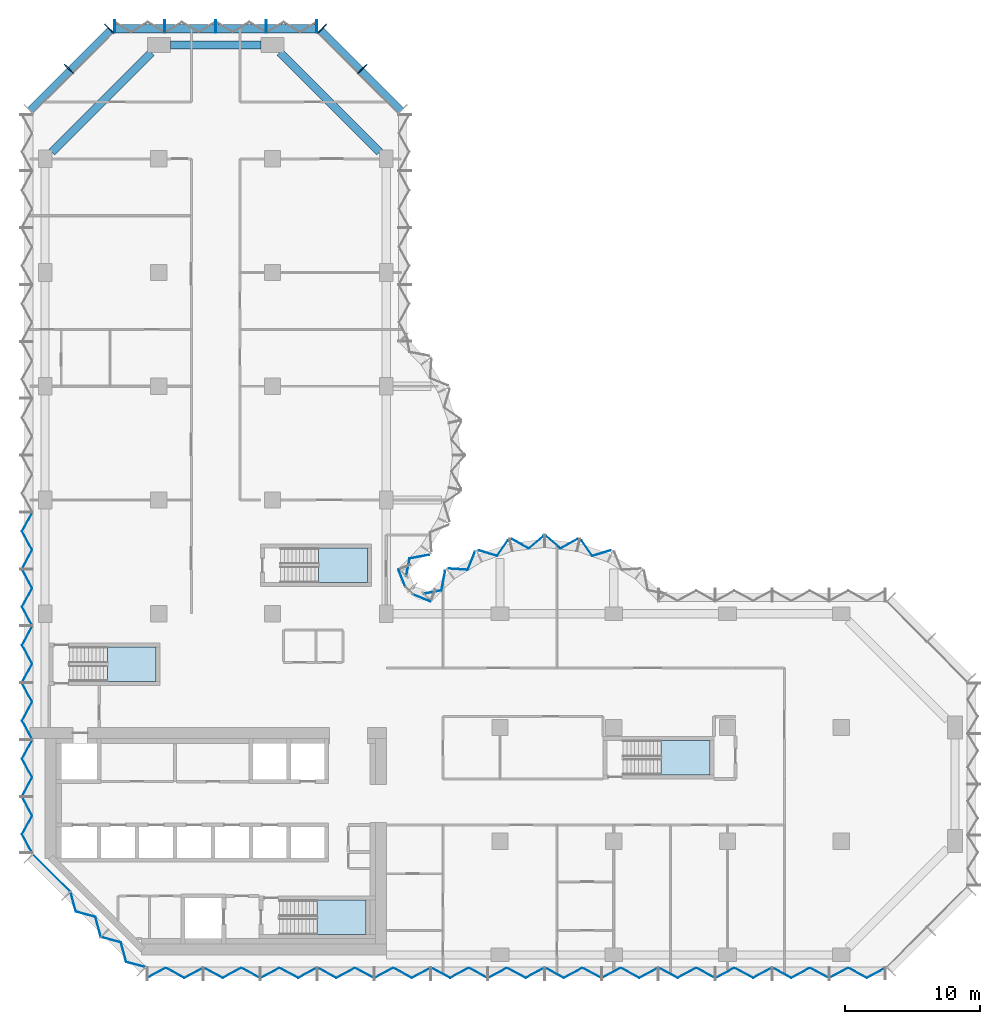
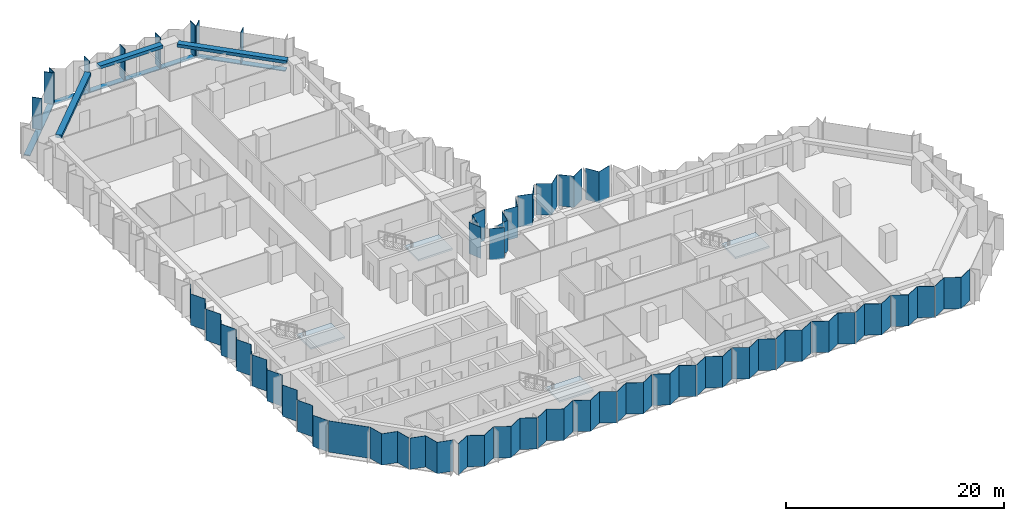
# One storey, part 5 of 13: 31 plates, 12 members, 4 slabs, 3 beams, 13 elements without a shape of their own.
"""IFC4 building model written with IfcOpenShell, lengths in metres."""

from ifc_helpers import new_model, si_unit, direction, frame, origin, origin_2d, place, context, subcontext, project, spatial, polyline, rectangle, outline, extrude, material, layer, layer_set, material_profile, profile_set, type_object, element, aggregate, save


model = new_model("IFC4")

# Units and contexts
model_context = context("Model", 3, precision=1e-05, world=origin(), true_north=direction((0.0, 1.0)))
body_context = subcontext(model_context, "Body", "Model", "MODEL_VIEW")
ifc_project = project(units=[si_unit("LENGTHUNIT", "METRE"), si_unit("AREAUNIT", "SQUARE_METRE"), si_unit("VOLUMEUNIT", "CUBIC_METRE"), si_unit("PLANEANGLEUNIT", "RADIAN"), si_unit("MASSUNIT", "GRAM", prefix="KILO")], contexts=[model_context])

# Site, building, storey
site_placement = place(None, origin())
site = spatial("IfcSite", under=ifc_project, at=site_placement, CompositionType="ELEMENT")
building_placement = place(site_placement, origin())
building = spatial("IfcBuilding", under=site, at=building_placement, Name="Brevane Broadcast Tower", CompositionType="ELEMENT")
storey_placement = place(building_placement, frame((0.0, 0.0, 102.5)))
storey = spatial("IfcBuildingStorey", under=building, at=storey_placement, Name="L24", CompositionType="ELEMENT", Elevation=102.5)

# Curtain wall, members
ifc_material_1 = material(Name="Aluminium 6063-T6 bronze anodised", Category="aluminium")
curtain_wall_type = type_object("IfcCurtainWallType", Name="CW-1 curtain wall", PredefinedType="NOTDEFINED", material=ifc_material_1)
curtain_wall_1_placement = place(storey_placement, origin())
curtain_wall_1 = element("IfcCurtainWall", 1, at=curtain_wall_1_placement, inside=storey, type_object=curtain_wall_type, Name="CW-1 typical tilted unit L24 north arm north-east chamfer", PredefinedType="NOTDEFINED")
ifc_material_profile_1 = material_profile(ifc_material_1, rectangle(XDim=0.949951171875, YDim=0.070068359375, at=origin_2d()), Name="RECT 70x950")
ifc_profile_set_1 = profile_set([ifc_material_profile_1], Name="Aluminium 6063-T6 bronze anodised")
member_type_1 = type_object("IfcMemberType", Name="CW-1 mullion 70x950", PredefinedType="MULLION", material=ifc_profile_set_1)
member_1_placement = place(storey_placement, frame((23.435791015625, 65.435791015625, -0.14990234375), z_axis=(0.0, 0.0, 1.0), x_axis=(-0.707106781187, -0.707106781187, 0.0)))
member_1 = element("IfcMember", 2, at=member_1_placement, type_object=member_type_1, Name="CW-1 mullion", PredefinedType="MULLION", context=body_context, shape_type="SweptSolid", body=[
    extrude(rectangle(XDim=0.949951171875, YDim=0.070068359375, at=origin_2d()), origin(), (0.0, 0.0, 1.0), 3.5),
])
member_2_placement = place(storey_placement, frame((20.460693359375, 68.4111328125, -0.14990234375), z_axis=(0.0, 0.0, 1.0), x_axis=(-0.707106781187, -0.707106781187, 0.0)))
member_2 = element("IfcMember", 3, at=member_2_placement, type_object=member_type_1, Name="CW-1 mullion", PredefinedType="MULLION", context=body_context, shape_type="SweptSolid", body=[
    extrude(rectangle(XDim=0.949951171875, YDim=0.070068359375, at=origin_2d()), origin(), (0.0, 0.0, 1.0), 3.5),
])

curtain_wall_2_placement = place(storey_placement, origin())
curtain_wall_2 = element("IfcCurtainWall", 4, at=curtain_wall_2_placement, inside=storey, type_object=curtain_wall_type, Name="CW-1 typical tilted unit L24 north end", PredefinedType="NOTDEFINED")
member_3_placement = place(storey_placement, frame((20.06494140625, 68.574951171875, -0.14990234375), z_axis=(0.0, 0.0, 1.0), x_axis=(0.0, -1.0, 0.0)))
member_3 = element("IfcMember", 5, at=member_3_placement, type_object=member_type_1, Name="CW-1 mullion", PredefinedType="MULLION", context=body_context, shape_type="SweptSolid", body=[
    extrude(rectangle(XDim=0.949951171875, YDim=0.070068359375, at=origin_2d()), origin(), (0.0, 0.0, 1.0), 3.5),
])
member_4_placement = place(storey_placement, frame((16.35009765625, 68.574951171875, -0.14990234375), z_axis=(0.0, 0.0, 1.0), x_axis=(0.0, -1.0, 0.0)))
member_4 = element("IfcMember", 6, at=member_4_placement, type_object=member_type_1, Name="CW-1 mullion", PredefinedType="MULLION", context=body_context, shape_type="SweptSolid", body=[
    extrude(rectangle(XDim=0.949951171875, YDim=0.070068359375, at=origin_2d()), origin(), (0.0, 0.0, 1.0), 3.5),
])
member_5_placement = place(storey_placement, frame((12.60009765625, 68.574951171875, -0.14990234375), z_axis=(0.0, 0.0, 1.0), x_axis=(0.0, -1.0, 0.0)))
member_5 = element("IfcMember", 7, at=member_5_placement, type_object=member_type_1, Name="CW-1 mullion", PredefinedType="MULLION", context=body_context, shape_type="SweptSolid", body=[
    extrude(rectangle(XDim=0.949951171875, YDim=0.070068359375, at=origin_2d()), origin(), (0.0, 0.0, 1.0), 3.5),
])
member_6_placement = place(storey_placement, frame((8.85009765625, 68.574951171875, -0.14990234375), z_axis=(0.0, 0.0, 1.0), x_axis=(0.0, -1.0, 0.0)))
member_6 = element("IfcMember", 8, at=member_6_placement, type_object=member_type_1, Name="CW-1 mullion", PredefinedType="MULLION", context=body_context, shape_type="SweptSolid", body=[
    extrude(rectangle(XDim=0.949951171875, YDim=0.070068359375, at=origin_2d()), origin(), (0.0, 0.0, 1.0), 3.5),
])
member_7_placement = place(storey_placement, frame((5.135009765625, 68.574951171875, -0.14990234375), z_axis=(0.0, 0.0, 1.0), x_axis=(0.0, -1.0, 0.0)))
member_7 = element("IfcMember", 9, at=member_7_placement, type_object=member_type_1, Name="CW-1 mullion", PredefinedType="MULLION", context=body_context, shape_type="SweptSolid", body=[
    extrude(rectangle(XDim=0.949951171875, YDim=0.070068359375, at=origin_2d()), origin(), (0.0, 0.0, 1.0), 3.5),
])

curtain_wall_3_placement = place(storey_placement, origin())
curtain_wall_3 = element("IfcCurtainWall", 10, at=curtain_wall_3_placement, inside=storey, type_object=curtain_wall_type, Name="CW-1 typical tilted unit L24 north-west chamfer", PredefinedType="NOTDEFINED")
member_8_placement = place(storey_placement, frame((4.7392578125, 68.4111328125, -0.14990234375), z_axis=(0.0, 0.0, 1.0), x_axis=(0.707106781187, -0.707106781187, 0.0)))
member_8 = element("IfcMember", 11, at=member_8_placement, type_object=member_type_1, Name="CW-1 mullion", PredefinedType="MULLION", context=body_context, shape_type="SweptSolid", body=[
    extrude(rectangle(XDim=0.949951171875, YDim=0.070068359375, at=origin_2d()), origin(), (0.0, 0.0, 1.0), 3.5),
])
member_9_placement = place(storey_placement, frame((1.76416015625, 65.435791015625, -0.14990234375), z_axis=(0.0, 0.0, 1.0), x_axis=(0.707106781187, -0.707106781187, 0.0)))
member_9 = element("IfcMember", 12, at=member_9_placement, type_object=member_type_1, Name="CW-1 mullion", PredefinedType="MULLION", context=body_context, shape_type="SweptSolid", body=[
    extrude(rectangle(XDim=0.949951171875, YDim=0.070068359375, at=origin_2d()), origin(), (0.0, 0.0, 1.0), 3.5),
])

# Member
ifc_material_profile_2 = material_profile(ifc_material_1, rectangle(XDim=0.60009765625, YDim=0.10009765625, at=origin_2d()), Name="RECT 100x600")
ifc_profile_set_2 = profile_set([ifc_material_profile_2], Name="Aluminium 6063-T6 bronze anodised")
member_type_2 = type_object("IfcMemberType", Name="CW-1 transom 100x600", PredefinedType="USERDEFINED", material=ifc_profile_set_2)
member_10_placement = place(storey_placement, frame((26.31201171875, 62.31201171875, -0.199951171875), z_axis=(-0.707106781187, 0.707106781187, 0.0), x_axis=(-0.707106781187, -0.707106781187, 0.0)))
member_10 = element("IfcMember", 13, at=member_10_placement, type_object=member_type_2, Name="CW-1 transom", ObjectType="TRANSOM", PredefinedType="USERDEFINED", context=body_context, shape_type="SweptSolid", body=[
    extrude(rectangle(XDim=0.60009765625, YDim=0.10009765625, at=origin_2d()), origin(), (0.0, 0.0, 1.0), 8.4853515625),
])

aggregate(curtain_wall_1, [member_1, member_2, member_10])

member_11_placement = place(storey_placement, frame((20.10009765625, 68.39990234375, -0.199951171875), z_axis=(-1.0, 0.0, 0.0), x_axis=(0.0, -1.0, 0.0)))
member_11 = element("IfcMember", 14, at=member_11_placement, type_object=member_type_2, Name="CW-1 transom", ObjectType="TRANSOM", PredefinedType="USERDEFINED", context=body_context, shape_type="SweptSolid", body=[
    extrude(rectangle(XDim=0.60009765625, YDim=0.10009765625, at=origin_2d()), origin(), (0.0, 0.0, 1.0), 15.0),
])

aggregate(curtain_wall_2, [member_3, member_4, member_5, member_6, member_7, member_11])

member_12_placement = place(storey_placement, frame((4.887939453125, 68.31201171875, -0.199951171875), z_axis=(-0.707106781187, -0.707106781187, 0.0), x_axis=(0.707106781187, -0.707106781187, 0.0)))
member_12 = element("IfcMember", 15, at=member_12_placement, type_object=member_type_2, Name="CW-1 transom", ObjectType="TRANSOM", PredefinedType="USERDEFINED", context=body_context, shape_type="SweptSolid", body=[
    extrude(rectangle(XDim=0.60009765625, YDim=0.10009765625, at=origin_2d()), origin(), (0.0, 0.0, 1.0), 8.4853515625),
])

aggregate(curtain_wall_3, [member_8, member_9, member_12])

# Beams
ifc_material_2 = material(Name="Concrete C40/50", Category="concrete")
ifc_material_profile_3 = material_profile(ifc_material_2, rectangle(XDim=0.60009765625, YDim=0.35009765625, at=origin_2d()), Name="RC 600x350")
ifc_profile_set_3 = profile_set([ifc_material_profile_3], Name="Concrete C40/50")
beam_type = type_object("IfcBeamType", Name="RC SPANDREL BEAM 600x350 C40/50", PredefinedType="SPANDREL", material=ifc_profile_set_3)
beam_1_placement = place(storey_placement, frame((24.699951171875, 59.300048828125, 3.175048828125), z_axis=(-0.707106781187, 0.707106781187, 0.0), x_axis=(-0.707106781187, -0.707106781187, 0.0)))
element("IfcBeam", 16, at=beam_1_placement, inside=storey, type_object=beam_type, Name="EB1 L24-16", PredefinedType="SPANDREL", context=body_context, shape_type="SweptSolid", body=[
    extrude(rectangle(XDim=0.60009765625, YDim=0.35009765625, at=origin_2d()), origin(), (0.0, 0.0, 1.0), 10.394287109375),
])
beam_2_placement = place(storey_placement, frame((15.949951171875, 67.199951171875, 3.175048828125), z_axis=(-1.0, 0.0, 0.0), x_axis=(0.0, -1.0, 0.0)))
element("IfcBeam", 17, at=beam_2_placement, inside=storey, type_object=beam_type, Name="EB1 L24-17", PredefinedType="SPANDREL", context=body_context, shape_type="SweptSolid", body=[
    extrude(rectangle(XDim=0.60009765625, YDim=0.35009765625, at=origin_2d()), origin(), (0.0, 0.0, 1.0), 6.699951171875),
])
beam_3_placement = place(storey_placement, frame((7.85009765625, 66.64990234375, 3.175048828125), z_axis=(-0.707118524903, -0.707095037275, 0.0), x_axis=(0.707095037275, -0.707118524903, 0.0)))
element("IfcBeam", 18, at=beam_3_placement, inside=storey, type_object=beam_type, Name="EB1 L24-18", PredefinedType="SPANDREL", context=body_context, shape_type="SweptSolid", body=[
    extrude(rectangle(XDim=0.60009765625, YDim=0.35009765625, at=origin_2d()), origin(), (0.0, 0.0, 1.0), 10.39453125),
])

# Curtain wall, plates
curtain_wall_4_placement = place(storey_placement, origin())
curtain_wall_4 = element("IfcCurtainWall", 19, at=curtain_wall_4_placement, inside=storey, type_object=curtain_wall_type, Name="CW-1 typical tilted unit L24 south face", PredefinedType="NOTDEFINED")
ifc_material_3 = material(Name="Laminated glass bronze-tinted", Category="glass")
ifc_layer_1 = layer(ifc_material_3, 0.0400390625)
ifc_layer_set_1 = layer_set([ifc_layer_1], Name="CW tall glass panel 40")
plate_type = type_object("IfcPlateType", Name="CW tall glass panel 40", PredefinedType="CURTAIN_PANEL", material=ifc_layer_set_1)
plate_1_placement = place(storey_placement, frame((0.0, 0.0, -0.14990234375)))
plate_1 = element("IfcPlate", 20, at=plate_1_placement, type_object=plate_type, Name="CW-1 glass panel", PredefinedType="CURTAIN_PANEL", context=body_context, shape_type="SweptSolid", body=[
    extrude(outline(polyline([(7.534912109375, -1.671630859375), (7.534912109375, -1.717041015625), (8.91162109375, -0.97265625), (10.288330078125, -1.717041015625), (11.6650390625, -0.97265625), (11.6650390625, -0.92724609375), (10.288330078125, -1.671630859375), (8.91162109375, -0.92724609375), (7.534912109375, -1.671630859375)])), origin(), (0.0, 0.0, 1.0), 3.5),
])
plate_2_placement = place(storey_placement, frame((0.0, 0.0, -0.14990234375)))
plate_2 = element("IfcPlate", 21, at=plate_2_placement, type_object=plate_type, Name="CW-1 glass panel", PredefinedType="CURTAIN_PANEL", context=body_context, shape_type="SweptSolid", body=[
    extrude(outline(polyline([(11.735107421875, -0.92724609375), (11.735107421875, -0.97265625), (13.11181640625, -1.717041015625), (14.48828125, -0.97265625), (15.864990234375, -1.717041015625), (15.864990234375, -1.671630859375), (14.48828125, -0.92724609375), (13.11181640625, -1.671630859375), (11.735107421875, -0.92724609375)])), origin(), (0.0, 0.0, 1.0), 3.5),
])
plate_3_placement = place(storey_placement, frame((0.0, 0.0, -0.14990234375)))
plate_3 = element("IfcPlate", 22, at=plate_3_placement, type_object=plate_type, Name="CW-1 glass panel", PredefinedType="CURTAIN_PANEL", context=body_context, shape_type="SweptSolid", body=[
    extrude(outline(polyline([(15.93505859375, -1.671630859375), (15.93505859375, -1.717041015625), (17.311767578125, -0.97265625), (18.688232421875, -1.717041015625), (20.06494140625, -0.97265625), (20.06494140625, -0.92724609375), (18.688232421875, -1.671630859375), (17.311767578125, -0.92724609375), (15.93505859375, -1.671630859375)])), origin(), (0.0, 0.0, 1.0), 3.5),
])
plate_4_placement = place(storey_placement, frame((0.0, 0.0, -0.14990234375)))
plate_4 = element("IfcPlate", 23, at=plate_4_placement, type_object=plate_type, Name="CW-1 glass panel", PredefinedType="CURTAIN_PANEL", context=body_context, shape_type="SweptSolid", body=[
    extrude(outline(polyline([(20.135009765625, -0.92724609375), (20.135009765625, -0.97265625), (21.51171875, -1.717041015625), (22.88818359375, -0.97265625), (24.264892578125, -1.717041015625), (24.264892578125, -1.671630859375), (22.88818359375, -0.92724609375), (21.51171875, -1.671630859375), (20.135009765625, -0.92724609375)])), origin(), (0.0, 0.0, 1.0), 3.5),
])
plate_5_placement = place(storey_placement, frame((0.0, 0.0, -0.14990234375)))
plate_5 = element("IfcPlate", 24, at=plate_5_placement, type_object=plate_type, Name="CW-1 glass panel", PredefinedType="CURTAIN_PANEL", context=body_context, shape_type="SweptSolid", body=[
    extrude(outline(polyline([(24.3349609375, -1.671630859375), (24.3349609375, -1.717041015625), (25.711669921875, -0.97265625), (27.08837890625, -1.717041015625), (28.465087890625, -0.97265625), (28.465087890625, -0.92724609375), (27.08837890625, -1.671630859375), (25.711669921875, -0.92724609375), (24.3349609375, -1.671630859375)])), origin(), (0.0, 0.0, 1.0), 3.5),
])
plate_6_placement = place(storey_placement, frame((0.0, 0.0, -0.14990234375)))
plate_6 = element("IfcPlate", 25, at=plate_6_placement, type_object=plate_type, Name="CW-1 glass panel", PredefinedType="CURTAIN_PANEL", context=body_context, shape_type="SweptSolid", body=[
    extrude(outline(polyline([(28.534912109375, -0.92724609375), (28.534912109375, -0.97265625), (29.91162109375, -1.717041015625), (31.288330078125, -0.97265625), (32.6650390625, -1.717041015625), (32.6650390625, -1.671630859375), (31.288330078125, -0.92724609375), (29.91162109375, -1.671630859375), (28.534912109375, -0.92724609375)])), origin(), (0.0, 0.0, 1.0), 3.5),
])
plate_7_placement = place(storey_placement, frame((0.0, 0.0, -0.14990234375)))
plate_7 = element("IfcPlate", 26, at=plate_7_placement, type_object=plate_type, Name="CW-1 glass panel", PredefinedType="CURTAIN_PANEL", context=body_context, shape_type="SweptSolid", body=[
    extrude(outline(polyline([(32.735107421875, -1.671630859375), (32.735107421875, -1.717041015625), (34.11181640625, -0.97265625), (35.48828125, -1.717041015625), (36.864990234375, -0.97265625), (36.864990234375, -0.92724609375), (35.48828125, -1.671630859375), (34.11181640625, -0.92724609375), (32.735107421875, -1.671630859375)])), origin(), (0.0, 0.0, 1.0), 3.5),
])
plate_8_placement = place(storey_placement, frame((0.0, 0.0, -0.14990234375)))
plate_8 = element("IfcPlate", 27, at=plate_8_placement, type_object=plate_type, Name="CW-1 glass panel", PredefinedType="CURTAIN_PANEL", context=body_context, shape_type="SweptSolid", body=[
    extrude(outline(polyline([(36.93505859375, -0.92724609375), (36.93505859375, -0.97265625), (38.311767578125, -1.717041015625), (39.688232421875, -0.97265625), (41.06494140625, -1.717041015625), (41.06494140625, -1.671630859375), (39.688232421875, -0.92724609375), (38.311767578125, -1.671630859375), (36.93505859375, -0.92724609375)])), origin(), (0.0, 0.0, 1.0), 3.5),
])
plate_9_placement = place(storey_placement, frame((0.0, 0.0, -0.14990234375)))
plate_9 = element("IfcPlate", 28, at=plate_9_placement, type_object=plate_type, Name="CW-1 glass panel", PredefinedType="CURTAIN_PANEL", context=body_context, shape_type="SweptSolid", body=[
    extrude(outline(polyline([(41.135009765625, -1.671630859375), (41.135009765625, -1.717041015625), (42.51171875, -0.97265625), (43.88818359375, -1.717041015625), (45.264892578125, -0.97265625), (45.264892578125, -0.92724609375), (43.88818359375, -1.671630859375), (42.51171875, -0.92724609375), (41.135009765625, -1.671630859375)])), origin(), (0.0, 0.0, 1.0), 3.5),
])
plate_10_placement = place(storey_placement, frame((0.0, 0.0, -0.14990234375)))
plate_10 = element("IfcPlate", 29, at=plate_10_placement, type_object=plate_type, Name="CW-1 glass panel", PredefinedType="CURTAIN_PANEL", context=body_context, shape_type="SweptSolid", body=[
    extrude(outline(polyline([(45.3349609375, -0.92724609375), (45.3349609375, -0.97265625), (46.711669921875, -1.717041015625), (48.08837890625, -0.97265625), (49.465087890625, -1.717041015625), (49.465087890625, -1.671630859375), (48.08837890625, -0.92724609375), (46.711669921875, -1.671630859375), (45.3349609375, -0.92724609375)])), origin(), (0.0, 0.0, 1.0), 3.5),
])
plate_11_placement = place(storey_placement, frame((0.0, 0.0, -0.14990234375)))
plate_11 = element("IfcPlate", 30, at=plate_11_placement, type_object=plate_type, Name="CW-1 glass panel", PredefinedType="CURTAIN_PANEL", context=body_context, shape_type="SweptSolid", body=[
    extrude(outline(polyline([(49.534912109375, -1.671630859375), (49.534912109375, -1.717041015625), (50.91162109375, -0.97265625), (52.288330078125, -1.717041015625), (53.6650390625, -0.97265625), (53.6650390625, -0.92724609375), (52.288330078125, -1.671630859375), (50.91162109375, -0.92724609375), (49.534912109375, -1.671630859375)])), origin(), (0.0, 0.0, 1.0), 3.5),
])
plate_12_placement = place(storey_placement, frame((0.0, 0.0, -0.14990234375)))
plate_12 = element("IfcPlate", 31, at=plate_12_placement, type_object=plate_type, Name="CW-1 glass panel", PredefinedType="CURTAIN_PANEL", context=body_context, shape_type="SweptSolid", body=[
    extrude(outline(polyline([(53.735107421875, -0.92724609375), (53.735107421875, -0.97265625), (55.11181640625, -1.717041015625), (56.48828125, -0.97265625), (57.864990234375, -1.717041015625), (57.864990234375, -1.671630859375), (56.48828125, -0.92724609375), (55.11181640625, -1.671630859375), (53.735107421875, -0.92724609375)])), origin(), (0.0, 0.0, 1.0), 3.5),
])
plate_13_placement = place(storey_placement, frame((0.0, 0.0, -0.14990234375)))
plate_13 = element("IfcPlate", 32, at=plate_13_placement, type_object=plate_type, Name="CW-1 glass panel", PredefinedType="CURTAIN_PANEL", context=body_context, shape_type="SweptSolid", body=[
    extrude(outline(polyline([(57.93505859375, -1.671630859375), (57.93505859375, -1.717041015625), (59.311767578125, -0.97265625), (60.688232421875, -1.717041015625), (62.06494140625, -0.97265625), (62.06494140625, -0.92724609375), (60.688232421875, -1.671630859375), (59.311767578125, -0.92724609375), (57.93505859375, -1.671630859375)])), origin(), (0.0, 0.0, 1.0), 3.5),
])
aggregate(curtain_wall_4, [plate_1, plate_2, plate_3, plate_4, plate_5, plate_6, plate_7, plate_8, plate_9, plate_10, plate_11, plate_12, plate_13])

curtain_wall_5_placement = place(storey_placement, origin())
curtain_wall_5 = element("IfcCurtainWall", 33, at=curtain_wall_5_placement, inside=storey, type_object=curtain_wall_type, Name="CW-1 typical tilted unit L24 east bow", PredefinedType="NOTDEFINED")
plate_14_placement = place(storey_placement, frame((0.0, 0.0, -0.14990234375)))
plate_14 = element("IfcPlate", 34, at=plate_14_placement, type_object=plate_type, Name="CW-1 glass panel", PredefinedType="CURTAIN_PANEL", context=body_context, shape_type="SweptSolid", body=[
    extrude(outline(polyline([(41.75537109375, 29.851806640625), (41.778564453125, 29.900634765625), (40.435546875, 29.494384765625), (39.6328125, 30.622802734375), (39.62060546875, 30.57080078125), (40.41943359375, 29.44775390625), (41.75537109375, 29.851806640625)])), origin(), (0.0, 0.0, 1.0), 3.5),
])
plate_15_placement = place(storey_placement, frame((0.0, 0.0, -0.14990234375)))
plate_15 = element("IfcPlate", 35, at=plate_15_placement, type_object=plate_type, Name="CW-1 glass panel", PredefinedType="CURTAIN_PANEL", context=body_context, shape_type="SweptSolid", body=[
    extrude(outline(polyline([(39.31640625, 30.68798828125), (39.328369140625, 30.740478515625), (38.069580078125, 30.036376953125), (37.008056640625, 30.94921875), (37.008056640625, 30.896484375), (38.064697265625, 29.98779296875), (39.31640625, 30.68798828125)])), origin(), (0.0, 0.0, 1.0), 3.5),
])
plate_16_placement = place(storey_placement, frame((0.0, 0.0, -0.14990234375)))
plate_16 = element("IfcPlate", 36, at=plate_16_placement, type_object=plate_type, Name="CW-1 glass panel", PredefinedType="CURTAIN_PANEL", context=body_context, shape_type="SweptSolid", body=[
    extrude(outline(polyline([(36.7919921875, 30.896484375), (36.7919921875, 30.94921875), (35.730224609375, 30.036376953125), (34.4716796875, 30.740478515625), (34.483642578125, 30.68798828125), (35.735107421875, 29.98779296875), (36.7919921875, 30.896484375)])), origin(), (0.0, 0.0, 1.0), 3.5),
])
plate_17_placement = place(storey_placement, frame((0.0, 0.0, -0.14990234375)))
plate_17 = element("IfcPlate", 37, at=plate_17_placement, type_object=plate_type, Name="CW-1 glass panel", PredefinedType="CURTAIN_PANEL", context=body_context, shape_type="SweptSolid", body=[
    extrude(outline(polyline([(34.17919921875, 30.57080078125), (34.167236328125, 30.622802734375), (33.364501953125, 29.494384765625), (32.021484375, 29.900634765625), (32.044677734375, 29.851806640625), (33.380615234375, 29.44775390625), (34.17919921875, 30.57080078125)])), origin(), (0.0, 0.0, 1.0), 3.5),
])
plate_18_placement = place(storey_placement, frame((0.0, 0.0, -0.14990234375)))
plate_18 = element("IfcPlate", 38, at=plate_18_placement, type_object=plate_type, Name="CW-1 glass panel", PredefinedType="CURTAIN_PANEL", context=body_context, shape_type="SweptSolid", body=[
    extrude(outline(polyline([(31.753173828125, 29.712890625), (31.729736328125, 29.76171875), (31.198486328125, 28.462890625), (29.816650390625, 28.551025390625), (29.849609375, 28.5087890625), (31.224609375, 28.42138671875), (31.753173828125, 29.712890625)])), origin(), (0.0, 0.0, 1.0), 3.5),
])
plate_19_placement = place(storey_placement, frame((0.0, 0.0, -0.14990234375)))
plate_19 = element("IfcPlate", 39, at=plate_19_placement, type_object=plate_type, Name="CW-1 glass panel", PredefinedType="CURTAIN_PANEL", context=body_context, shape_type="SweptSolid", body=[
    extrude(outline(polyline([(29.568603515625, 28.34375), (29.535888671875, 28.3857421875), (29.2607421875, 26.9423828125), (27.975341796875, 26.690185546875), (28.008544921875, 26.656005859375), (29.294921875, 26.908203125), (29.568603515625, 28.34375)])), origin(), (0.0, 0.0, 1.0), 3.5),
])
aggregate(curtain_wall_5, [plate_14, plate_15, plate_16, plate_17, plate_18, plate_19])

curtain_wall_6_placement = place(storey_placement, origin())
curtain_wall_6 = element("IfcCurtainWall", 40, at=curtain_wall_6_placement, inside=storey, type_object=curtain_wall_type, Name="CW-1 typical tilted unit L24 inner corner", PredefinedType="NOTDEFINED")
plate_20_placement = place(storey_placement, frame((0.0, 0.0, -0.14990234375)))
plate_20 = element("IfcPlate", 41, at=plate_20_placement, type_object=plate_type, Name="CW-1 glass panel", PredefinedType="CURTAIN_PANEL", context=body_context, shape_type="SweptSolid", body=[
    extrude(outline(polyline([(28.45166015625, 26.07470703125), (28.466796875, 26.111572265625), (27.2021484375, 26.635498046875), (27.17138671875, 26.60498046875), (28.45166015625, 26.07470703125)])), origin(), (0.0, 0.0, 1.0), 3.5),
])
plate_21_placement = place(storey_placement, frame((0.0, 0.0, -0.14990234375)))
plate_21 = element("IfcPlate", 42, at=plate_21_placement, type_object=plate_type, Name="CW-1 glass panel", PredefinedType="CURTAIN_PANEL", context=body_context, shape_type="SweptSolid", body=[
    extrude(outline(polyline([(26.60498046875, 27.17138671875), (26.635498046875, 27.2021484375), (26.111572265625, 28.466796875), (26.07470703125, 28.45166015625), (26.60498046875, 27.17138671875)])), origin(), (0.0, 0.0, 1.0), 3.5),
])
aggregate(curtain_wall_6, [plate_20, plate_21])

# Curtain wall, plate
curtain_wall_7_placement = place(storey_placement, origin())
curtain_wall_7 = element("IfcCurtainWall", 43, at=curtain_wall_7_placement, inside=storey, type_object=curtain_wall_type, Name="CW-1 typical tilted unit L24 north bow", PredefinedType="NOTDEFINED")
plate_22_placement = place(storey_placement, frame((0.0, 0.0, -0.14990234375)))
plate_22 = element("IfcPlate", 44, at=plate_22_placement, type_object=plate_type, Name="CW-1 glass panel", PredefinedType="CURTAIN_PANEL", context=body_context, shape_type="SweptSolid", body=[
    extrude(outline(polyline([(26.656005859375, 28.008544921875), (26.690185546875, 27.975341796875), (26.9423828125, 29.2607421875), (28.3857421875, 29.535888671875), (28.34375, 29.568603515625), (26.908203125, 29.294921875), (26.656005859375, 28.008544921875)])), origin(), (0.0, 0.0, 1.0), 3.5),
])
aggregate(curtain_wall_7, [plate_22])

# Curtain wall, plates
curtain_wall_8_placement = place(storey_placement, origin())
curtain_wall_8 = element("IfcCurtainWall", 45, at=curtain_wall_8_placement, inside=storey, type_object=curtain_wall_type, Name="CW-1 typical tilted unit L24 west face", PredefinedType="NOTDEFINED")
plate_23_placement = place(storey_placement, frame((0.0, 0.0, -0.14990234375)))
plate_23 = element("IfcPlate", 46, at=plate_23_placement, type_object=plate_type, Name="CW-1 glass panel", PredefinedType="CURTAIN_PANEL", context=body_context, shape_type="SweptSolid", body=[
    extrude(outline(polyline([(-0.92724609375, 32.6650390625), (-0.97265625, 32.6650390625), (-1.717041015625, 31.288330078125), (-0.97265625, 29.91162109375), (-1.717041015625, 28.534912109375), (-1.671630859375, 28.534912109375), (-0.92724609375, 29.91162109375), (-1.671630859375, 31.288330078125), (-0.92724609375, 32.6650390625)])), origin(), (0.0, 0.0, 1.0), 3.5),
])
plate_24_placement = place(storey_placement, frame((0.0, 0.0, -0.14990234375)))
plate_24 = element("IfcPlate", 47, at=plate_24_placement, type_object=plate_type, Name="CW-1 glass panel", PredefinedType="CURTAIN_PANEL", context=body_context, shape_type="SweptSolid", body=[
    extrude(outline(polyline([(-1.671630859375, 28.465087890625), (-1.717041015625, 28.465087890625), (-0.97265625, 27.08837890625), (-1.717041015625, 25.711669921875), (-0.97265625, 24.3349609375), (-0.92724609375, 24.3349609375), (-1.671630859375, 25.711669921875), (-0.92724609375, 27.08837890625), (-1.671630859375, 28.465087890625)])), origin(), (0.0, 0.0, 1.0), 3.5),
])
plate_25_placement = place(storey_placement, frame((0.0, 0.0, -0.14990234375)))
plate_25 = element("IfcPlate", 48, at=plate_25_placement, type_object=plate_type, Name="CW-1 glass panel", PredefinedType="CURTAIN_PANEL", context=body_context, shape_type="SweptSolid", body=[
    extrude(outline(polyline([(-0.92724609375, 24.264892578125), (-0.97265625, 24.264892578125), (-1.717041015625, 22.88818359375), (-0.97265625, 21.51171875), (-1.717041015625, 20.135009765625), (-1.671630859375, 20.135009765625), (-0.92724609375, 21.51171875), (-1.671630859375, 22.88818359375), (-0.92724609375, 24.264892578125)])), origin(), (0.0, 0.0, 1.0), 3.5),
])
plate_26_placement = place(storey_placement, frame((0.0, 0.0, -0.14990234375)))
plate_26 = element("IfcPlate", 49, at=plate_26_placement, type_object=plate_type, Name="CW-1 glass panel", PredefinedType="CURTAIN_PANEL", context=body_context, shape_type="SweptSolid", body=[
    extrude(outline(polyline([(-1.671630859375, 20.06494140625), (-1.717041015625, 20.06494140625), (-0.97265625, 18.688232421875), (-1.717041015625, 17.311767578125), (-0.97265625, 15.93505859375), (-0.92724609375, 15.93505859375), (-1.671630859375, 17.311767578125), (-0.92724609375, 18.688232421875), (-1.671630859375, 20.06494140625)])), origin(), (0.0, 0.0, 1.0), 3.5),
])
plate_27_placement = place(storey_placement, frame((0.0, 0.0, -0.14990234375)))
plate_27 = element("IfcPlate", 50, at=plate_27_placement, type_object=plate_type, Name="CW-1 glass panel", PredefinedType="CURTAIN_PANEL", context=body_context, shape_type="SweptSolid", body=[
    extrude(outline(polyline([(-0.92724609375, 15.864990234375), (-0.97265625, 15.864990234375), (-1.717041015625, 14.48828125), (-0.97265625, 13.11181640625), (-1.717041015625, 11.735107421875), (-1.671630859375, 11.735107421875), (-0.92724609375, 13.11181640625), (-1.671630859375, 14.48828125), (-0.92724609375, 15.864990234375)])), origin(), (0.0, 0.0, 1.0), 3.5),
])
plate_28_placement = place(storey_placement, frame((0.0, 0.0, -0.14990234375)))
plate_28 = element("IfcPlate", 51, at=plate_28_placement, type_object=plate_type, Name="CW-1 glass panel", PredefinedType="CURTAIN_PANEL", context=body_context, shape_type="SweptSolid", body=[
    extrude(outline(polyline([(-1.671630859375, 11.6650390625), (-1.717041015625, 11.6650390625), (-0.97265625, 10.288330078125), (-1.717041015625, 8.91162109375), (-0.97265625, 7.534912109375), (-0.92724609375, 7.534912109375), (-1.671630859375, 8.91162109375), (-0.92724609375, 10.288330078125), (-1.671630859375, 11.6650390625)])), origin(), (0.0, 0.0, 1.0), 3.5),
])
aggregate(curtain_wall_8, [plate_23, plate_24, plate_25, plate_26, plate_27, plate_28])

curtain_wall_9_placement = place(storey_placement, origin())
curtain_wall_9 = element("IfcCurtainWall", 52, at=curtain_wall_9_placement, inside=storey, type_object=curtain_wall_type, Name="CW-1 typical tilted unit L24 south-west chamfer", PredefinedType="NOTDEFINED")
plate_29_placement = place(storey_placement, frame((0.0, 0.0, -0.14990234375)))
plate_29 = element("IfcPlate", 53, at=plate_29_placement, type_object=plate_type, Name="CW-1 glass panel", PredefinedType="CURTAIN_PANEL", context=body_context, shape_type="SweptSolid", body=[
    extrude(outline(polyline([(-0.896484375, 7.4541015625), (1.85400390625, 4.70361328125), (1.82568359375, 4.67529296875), (-0.9248046875, 7.42578125), (-0.896484375, 7.4541015625)])), origin(), (0.0, 0.0, 1.0), 3.5),
])
plate_30_placement = place(storey_placement, frame((0.0, 0.0, -0.14990234375)))
plate_30 = element("IfcPlate", 54, at=plate_30_placement, type_object=plate_type, Name="CW-1 glass panel", PredefinedType="CURTAIN_PANEL", context=body_context, shape_type="SweptSolid", body=[
    extrude(outline(polyline([(1.90576171875, 4.65625), (1.873046875, 4.62353515625), (2.263671875, 3.180419921875), (3.706787109375, 2.789794921875), (4.09716796875, 1.3466796875), (4.1298828125, 1.37939453125), (3.739501953125, 2.822509765625), (2.296142578125, 3.212890625), (1.90576171875, 4.65625)])), origin(), (0.0, 0.0, 1.0), 3.5),
])
plate_31_placement = place(storey_placement, frame((0.0, 0.0, -0.14990234375)))
plate_31 = element("IfcPlate", 55, at=plate_31_placement, type_object=plate_type, Name="CW-1 glass panel", PredefinedType="CURTAIN_PANEL", context=body_context, shape_type="SweptSolid", body=[
    extrude(outline(polyline([(4.17919921875, 1.329833984375), (4.146728515625, 1.297119140625), (5.58984375, 0.90673828125), (5.98046875, -0.536376953125), (7.423583984375, -0.927001953125), (7.456298828125, -0.894287109375), (6.012939453125, -0.50390625), (5.62255859375, 0.939453125), (4.17919921875, 1.329833984375)])), origin(), (0.0, 0.0, 1.0), 3.5),
])
aggregate(curtain_wall_9, [plate_29, plate_30, plate_31])

# Stair, slab
ifc_material_4 = material(Name="Concrete C50/60", Category="concrete")
stair_type = type_object("IfcStairType", Name="Exit stair 22 risers", PredefinedType="HALF_TURN_STAIR", material=ifc_material_4)
stair_1_placement = place(storey_placement, origin())
stair_1 = element("IfcStair", 56, at=stair_1_placement, inside=storey, type_object=stair_type, Name="L24 Exit stair ST-1", PredefinedType="HALF_TURN_STAIR")
ifc_layer_2 = layer(ifc_material_4, 0.199951171875)
ifc_layer_set_2 = layer_set([ifc_layer_2], Name="Exit stair landing")
slab_type = type_object("IfcSlabType", Name="Exit stair landing", PredefinedType="LANDING", material=ifc_layer_set_2)
slab_1_placement = place(storey_placement, frame((0.0, 0.0, 1.60009765625)))
slab_1 = element("IfcSlab", 57, at=slab_1_placement, type_object=slab_type, Name="ST-1 landing 1", PredefinedType="LANDING", context=body_context, shape_type="SweptSolid", body=[
    extrude(outline(polyline([(4.60009765625, 20.199951171875), (8.199951171875, 20.199951171875), (8.199951171875, 22.75), (4.60009765625, 22.75), (4.60009765625, 20.199951171875)])), origin(), (0.0, 0.0, 1.0), 0.199951171875),
])
aggregate(stair_1, [slab_1])

stair_2_placement = place(storey_placement, origin())
stair_2 = element("IfcStair", 58, at=stair_2_placement, inside=storey, type_object=stair_type, Name="L24 Exit stair ST-2", PredefinedType="HALF_TURN_STAIR")
slab_2_placement = place(storey_placement, frame((0.0, 0.0, 1.60009765625)))
slab_2 = element("IfcSlab", 59, at=slab_2_placement, type_object=slab_type, Name="ST-2 landing 1", PredefinedType="LANDING", context=body_context, shape_type="SweptSolid", body=[
    extrude(outline(polyline([(20.10009765625, 1.5), (23.699951171875, 1.5), (23.699951171875, 4.050048828125), (20.10009765625, 4.050048828125), (20.10009765625, 1.5)])), origin(), (0.0, 0.0, 1.0), 0.199951171875),
])
aggregate(stair_2, [slab_2])

stair_3_placement = place(storey_placement, origin())
stair_3 = element("IfcStair", 60, at=stair_3_placement, inside=storey, type_object=stair_type, Name="L24 Exit stair ST-3", PredefinedType="HALF_TURN_STAIR")
slab_3_placement = place(storey_placement, frame((0.0, 0.0, 1.60009765625)))
slab_3 = element("IfcSlab", 61, at=slab_3_placement, type_object=slab_type, Name="ST-3 landing 1", PredefinedType="LANDING", context=body_context, shape_type="SweptSolid", body=[
    extrude(outline(polyline([(20.199951171875, 27.5), (23.800048828125, 27.5), (23.800048828125, 30.050048828125), (20.199951171875, 30.050048828125), (20.199951171875, 27.5)])), origin(), (0.0, 0.0, 1.0), 0.199951171875),
])
aggregate(stair_3, [slab_3])

stair_4_placement = place(storey_placement, origin())
stair_4 = element("IfcStair", 62, at=stair_4_placement, inside=storey, type_object=stair_type, Name="L24 Exit stair ST-4", PredefinedType="HALF_TURN_STAIR")
slab_4_placement = place(storey_placement, frame((0.0, 0.0, 1.60009765625)))
slab_4 = element("IfcSlab", 63, at=slab_4_placement, type_object=slab_type, Name="ST-4 landing 1", PredefinedType="LANDING", context=body_context, shape_type="SweptSolid", body=[
    extrude(outline(polyline([(45.5, 13.300048828125), (49.10009765625, 13.300048828125), (49.10009765625, 15.85009765625), (45.5, 15.85009765625), (45.5, 13.300048828125)])), origin(), (0.0, 0.0, 1.0), 0.199951171875),
])
aggregate(stair_4, [slab_4])

save(model, "model.ifc")
